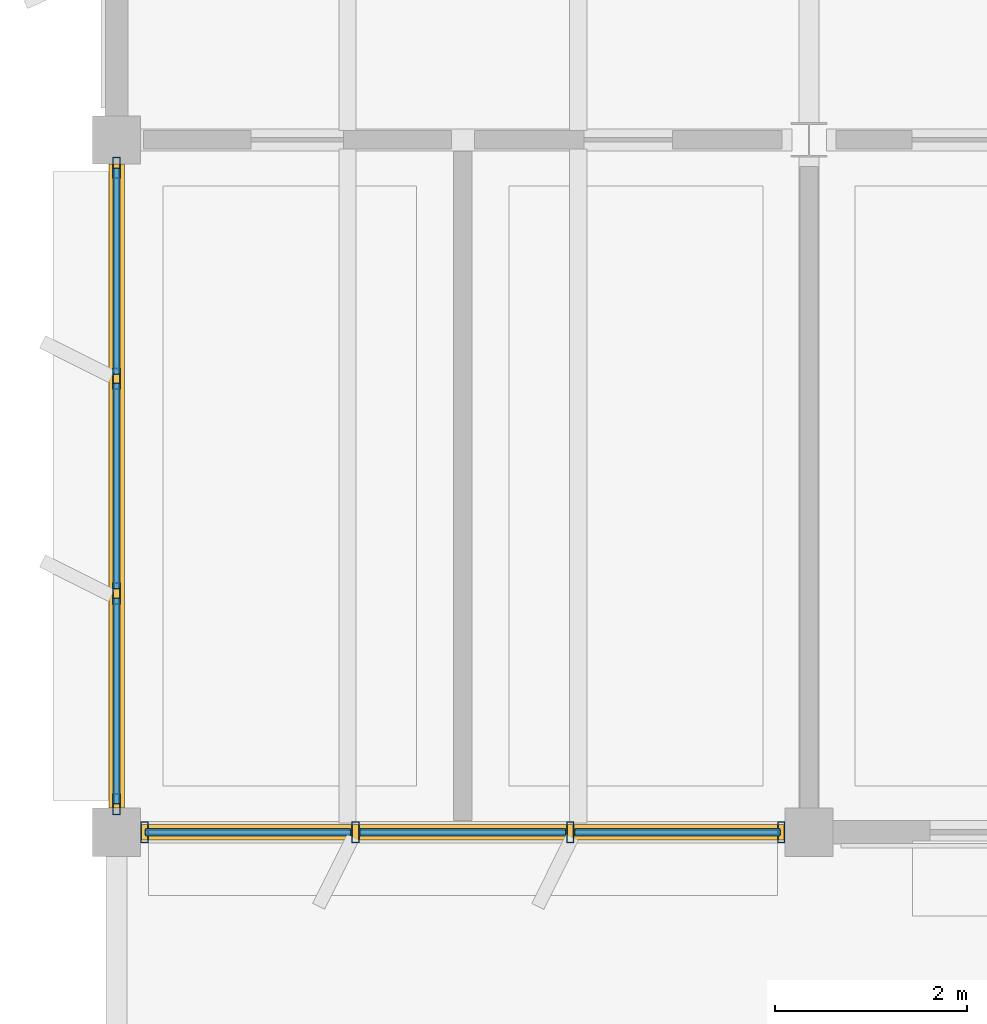
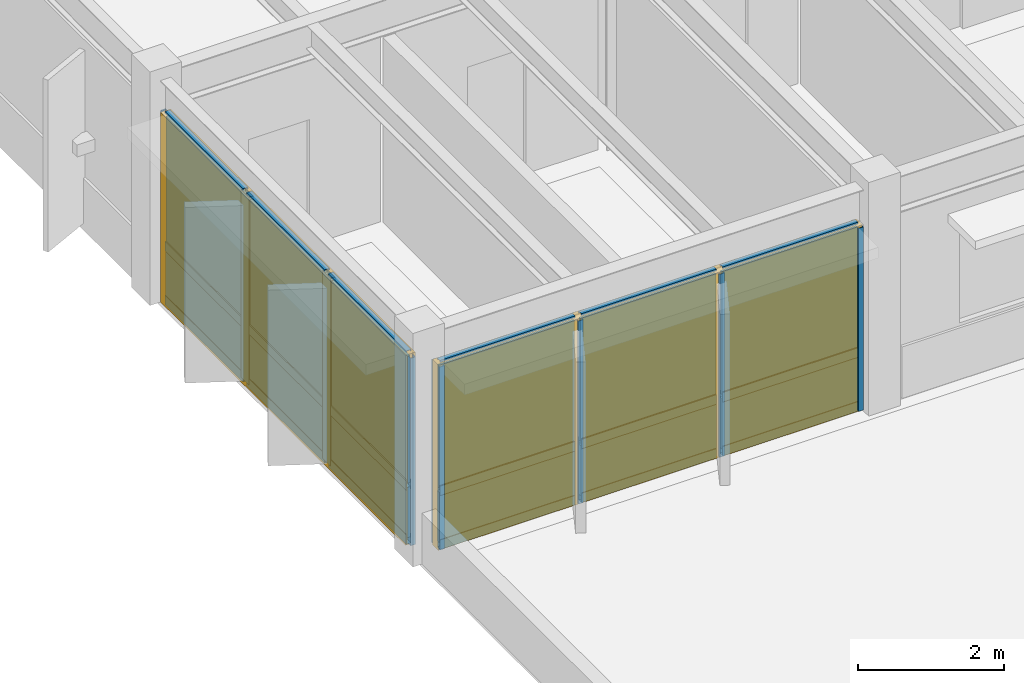
# One storey, part 48 of 82: 26 members, 12 plates, 2 curtain walls.
"""IFC4 building model written with IfcOpenShell, lengths in metres."""

from ifc_helpers import new_model, si_unit, direction, frame, origin, origin_2d, place, context, subcontext, project, spatial, rectangle, hollow_rectangle, extrude, material, layer, layer_set, material_profile, profile_set, type_object, element, aggregate, save


model = new_model("IFC4")

# Units and contexts
model_context = context("Model", 3, precision=1e-05, world=origin(), true_north=direction((0.0, 1.0)))
body_context = subcontext(model_context, "Body", "Model", "MODEL_VIEW")
ifc_project = project(units=[si_unit("LENGTHUNIT", "METRE"), si_unit("AREAUNIT", "SQUARE_METRE"), si_unit("VOLUMEUNIT", "CUBIC_METRE"), si_unit("PLANEANGLEUNIT", "RADIAN"), si_unit("MASSUNIT", "GRAM", prefix="KILO")], contexts=[model_context])

# Member
ifc_material_1 = material(Name="Anodized Aluminium 6063-T6", Category="aluminium")
ifc_material_profile_1 = material_profile(ifc_material_1, hollow_rectangle(XDim=0.074951171875, YDim=0.219970703125, WallThickness=0.0048828125, at=origin_2d()), Name="ALU 75x220x5")
ifc_profile_set_1 = profile_set([ifc_material_profile_1], Name="Anodized Aluminium 6063-T6")
member_type_1 = type_object("IfcMemberType", Name="CWM-75X180", PredefinedType="MULLION", material=ifc_profile_set_1)
site_placement = place(None, origin())
building_placement = place(site_placement, origin())
storey_placement = place(building_placement, frame((0.0, 0.0, 14.10009765625)))
member_1_placement = place(storey_placement, frame((14.110107421875, 50.39990234375, 0.02001953125), z_axis=(0.0, 0.0, 1.0), x_axis=(1.0, 0.0, 0.0)))
member_1 = element("IfcMember", 1, at=member_1_placement, type_object=member_type_1, Name="Curtain wall mullion CW-L04-01-07-S-00", PredefinedType="MULLION", context=body_context, shape_type="SweptSolid", body=[
    extrude(hollow_rectangle(XDim=0.074951171875, YDim=0.219970703125, WallThickness=0.0048828125, at=origin_2d()), origin(), (0.0, 0.0, 1.0), 3.057861328125),
])

member_2_placement = place(storey_placement, frame((11.916748046875, 50.39990234375, 0.02001953125), z_axis=(0.0, 0.0, 1.0), x_axis=(1.0, 0.0, 0.0)))
member_2 = element("IfcMember", 2, at=member_2_placement, type_object=member_type_1, Name="Curtain wall mullion CW-L04-01-07-S-01", PredefinedType="MULLION", context=body_context, shape_type="SweptSolid", body=[
    extrude(hollow_rectangle(XDim=0.074951171875, YDim=0.219970703125, WallThickness=0.0048828125, at=origin_2d()), origin(), (0.0, 0.0, 1.0), 3.057861328125),
])

member_3_placement = place(storey_placement, frame((9.683349609375, 50.39990234375, 0.02001953125), z_axis=(0.0, 0.0, 1.0), x_axis=(1.0, 0.0, 0.0)))
member_3 = element("IfcMember", 3, at=member_3_placement, type_object=member_type_1, Name="Curtain wall mullion CW-L04-01-07-S-02", PredefinedType="MULLION", context=body_context, shape_type="SweptSolid", body=[
    extrude(hollow_rectangle(XDim=0.074951171875, YDim=0.219970703125, WallThickness=0.0048828125, at=origin_2d()), origin(), (0.0, 0.0, 1.0), 3.057861328125),
])

member_4_placement = place(storey_placement, frame((7.489990234375, 50.39990234375, 0.02001953125), z_axis=(0.0, 0.0, 1.0), x_axis=(1.0, 0.0, 0.0)))
member_4 = element("IfcMember", 4, at=member_4_placement, type_object=member_type_1, Name="Curtain wall mullion CW-L04-01-07-S-03", PredefinedType="MULLION", context=body_context, shape_type="SweptSolid", body=[
    extrude(hollow_rectangle(XDim=0.074951171875, YDim=0.219970703125, WallThickness=0.0048828125, at=origin_2d()), origin(), (0.0, 0.0, 1.0), 3.057861328125),
])

member_5_placement = place(storey_placement, frame((7.199951171875, 50.68994140625, 0.02001953125), z_axis=(0.0, 0.0, 1.0), x_axis=(1.0, 0.0, 0.0)))
member_5 = element("IfcMember", 5, at=member_5_placement, type_object=member_type_1, Name="Curtain wall mullion CW-L04-01-07-W-00", PredefinedType="MULLION", context=body_context, shape_type="SweptSolid", body=[
    extrude(hollow_rectangle(XDim=0.074951171875, YDim=0.219970703125, WallThickness=0.0048828125, at=origin_2d()), origin(), (0.0, 0.0, 1.0), 3.1318359375),
])

member_6_placement = place(storey_placement, frame((7.199951171875, 52.88330078125, 0.02001953125), z_axis=(0.0, 0.0, 1.0), x_axis=(1.0, 0.0, 0.0)))
member_6 = element("IfcMember", 6, at=member_6_placement, type_object=member_type_1, Name="Curtain wall mullion CW-L04-01-07-W-01", PredefinedType="MULLION", context=body_context, shape_type="SweptSolid", body=[
    extrude(hollow_rectangle(XDim=0.074951171875, YDim=0.219970703125, WallThickness=0.0048828125, at=origin_2d()), origin(), (0.0, 0.0, 1.0), 3.1318359375),
])

member_7_placement = place(storey_placement, frame((7.199951171875, 55.11669921875, 0.02001953125), z_axis=(0.0, 0.0, 1.0), x_axis=(1.0, 0.0, 0.0)))
member_7 = element("IfcMember", 7, at=member_7_placement, type_object=member_type_1, Name="Curtain wall mullion CW-L04-01-07-W-02", PredefinedType="MULLION", context=body_context, shape_type="SweptSolid", body=[
    extrude(hollow_rectangle(XDim=0.074951171875, YDim=0.219970703125, WallThickness=0.0048828125, at=origin_2d()), origin(), (0.0, 0.0, 1.0), 3.1318359375),
])

member_8_placement = place(storey_placement, frame((7.199951171875, 57.31005859375, 0.02001953125), z_axis=(0.0, 0.0, 1.0), x_axis=(1.0, 0.0, 0.0)))
member_8 = element("IfcMember", 8, at=member_8_placement, type_object=member_type_1, Name="Curtain wall mullion CW-L04-01-07-W-03", PredefinedType="MULLION", context=body_context, shape_type="SweptSolid", body=[
    extrude(hollow_rectangle(XDim=0.074951171875, YDim=0.219970703125, WallThickness=0.0048828125, at=origin_2d()), origin(), (0.0, 0.0, 1.0), 3.1318359375),
])

ifc_material_profile_2 = material_profile(ifc_material_1, hollow_rectangle(XDim=0.074951171875, YDim=0.159912109375, WallThickness=0.00390625, at=origin_2d()), Name="ALU 75x160x4")
ifc_profile_set_2 = profile_set([ifc_material_profile_2], Name="Anodized Aluminium 6063-T6")
member_type_2 = type_object("IfcMemberType", Name="CWT-75X150", PredefinedType="USERDEFINED", material=ifc_profile_set_2)
member_9_placement = place(storey_placement, frame((14.10009765625, 50.39990234375, 0.0498046875), z_axis=(-1.0, 0.0, 0.0), x_axis=(0.0, -1.0, 0.0)))
member_9 = element("IfcMember", 9, at=member_9_placement, type_object=member_type_2, Name="Curtain wall transom CW-L04-01-07-S-1.01", ObjectType="TRANSOM", PredefinedType="USERDEFINED", context=body_context, shape_type="SweptSolid", body=[
    extrude(hollow_rectangle(XDim=0.074951171875, YDim=0.159912109375, WallThickness=0.00390625, at=origin_2d()), origin(), (0.0, 0.0, 1.0), 2.13330078125),
])

member_10_placement = place(storey_placement, frame((11.86669921875, 50.39990234375, 0.0498046875), z_axis=(-1.0, 0.0, 0.0), x_axis=(0.0, -1.0, 0.0)))
member_10 = element("IfcMember", 10, at=member_10_placement, type_object=member_type_2, Name="Curtain wall transom CW-L04-01-07-S-1.02", ObjectType="TRANSOM", PredefinedType="USERDEFINED", context=body_context, shape_type="SweptSolid", body=[
    extrude(hollow_rectangle(XDim=0.074951171875, YDim=0.159912109375, WallThickness=0.00390625, at=origin_2d()), origin(), (0.0, 0.0, 1.0), 2.13330078125),
])

member_11_placement = place(storey_placement, frame((9.63330078125, 50.39990234375, 0.0498046875), z_axis=(-1.0, 0.0, 0.0), x_axis=(0.0, -1.0, 0.0)))
member_11 = element("IfcMember", 11, at=member_11_placement, type_object=member_type_2, Name="Curtain wall transom CW-L04-01-07-S-1.03", ObjectType="TRANSOM", PredefinedType="USERDEFINED", context=body_context, shape_type="SweptSolid", body=[
    extrude(hollow_rectangle(XDim=0.074951171875, YDim=0.159912109375, WallThickness=0.00390625, at=origin_2d()), origin(), (0.0, 0.0, 1.0), 2.13330078125),
])

member_12_placement = place(storey_placement, frame((14.10009765625, 50.39990234375, 0.949951171875), z_axis=(-1.0, 0.0, 0.0), x_axis=(0.0, -1.0, 0.0)))
member_12 = element("IfcMember", 12, at=member_12_placement, type_object=member_type_2, Name="Curtain wall transom CW-L04-01-07-S-2.01", ObjectType="TRANSOM", PredefinedType="USERDEFINED", context=body_context, shape_type="SweptSolid", body=[
    extrude(hollow_rectangle(XDim=0.074951171875, YDim=0.159912109375, WallThickness=0.00390625, at=origin_2d()), origin(), (0.0, 0.0, 1.0), 2.13330078125),
])

member_13_placement = place(storey_placement, frame((11.86669921875, 50.39990234375, 0.949951171875), z_axis=(-1.0, 0.0, 0.0), x_axis=(0.0, -1.0, 0.0)))
member_13 = element("IfcMember", 13, at=member_13_placement, type_object=member_type_2, Name="Curtain wall transom CW-L04-01-07-S-2.02", ObjectType="TRANSOM", PredefinedType="USERDEFINED", context=body_context, shape_type="SweptSolid", body=[
    extrude(hollow_rectangle(XDim=0.074951171875, YDim=0.159912109375, WallThickness=0.00390625, at=origin_2d()), origin(), (0.0, 0.0, 1.0), 2.13330078125),
])

member_14_placement = place(storey_placement, frame((9.63330078125, 50.39990234375, 0.949951171875), z_axis=(-1.0, 0.0, 0.0), x_axis=(0.0, -1.0, 0.0)))
member_14 = element("IfcMember", 14, at=member_14_placement, type_object=member_type_2, Name="Curtain wall transom CW-L04-01-07-S-2.03", ObjectType="TRANSOM", PredefinedType="USERDEFINED", context=body_context, shape_type="SweptSolid", body=[
    extrude(hollow_rectangle(XDim=0.074951171875, YDim=0.159912109375, WallThickness=0.00390625, at=origin_2d()), origin(), (0.0, 0.0, 1.0), 2.13330078125),
])

member_15_placement = place(storey_placement, frame((14.10009765625, 50.39990234375, 3.0478515625), z_axis=(-1.0, 0.0, 0.0), x_axis=(0.0, -1.0, 0.0)))
member_15 = element("IfcMember", 15, at=member_15_placement, type_object=member_type_2, Name="Curtain wall transom CW-L04-01-07-S-3.01", ObjectType="TRANSOM", PredefinedType="USERDEFINED", context=body_context, shape_type="SweptSolid", body=[
    extrude(hollow_rectangle(XDim=0.074951171875, YDim=0.159912109375, WallThickness=0.00390625, at=origin_2d()), origin(), (0.0, 0.0, 1.0), 2.13330078125),
])

member_16_placement = place(storey_placement, frame((11.86669921875, 50.39990234375, 3.0478515625), z_axis=(-1.0, 0.0, 0.0), x_axis=(0.0, -1.0, 0.0)))
member_16 = element("IfcMember", 16, at=member_16_placement, type_object=member_type_2, Name="Curtain wall transom CW-L04-01-07-S-3.02", ObjectType="TRANSOM", PredefinedType="USERDEFINED", context=body_context, shape_type="SweptSolid", body=[
    extrude(hollow_rectangle(XDim=0.074951171875, YDim=0.159912109375, WallThickness=0.00390625, at=origin_2d()), origin(), (0.0, 0.0, 1.0), 2.13330078125),
])

member_17_placement = place(storey_placement, frame((9.63330078125, 50.39990234375, 3.0478515625), z_axis=(-1.0, 0.0, 0.0), x_axis=(0.0, -1.0, 0.0)))
member_17 = element("IfcMember", 17, at=member_17_placement, type_object=member_type_2, Name="Curtain wall transom CW-L04-01-07-S-3.03", ObjectType="TRANSOM", PredefinedType="USERDEFINED", context=body_context, shape_type="SweptSolid", body=[
    extrude(hollow_rectangle(XDim=0.074951171875, YDim=0.159912109375, WallThickness=0.00390625, at=origin_2d()), origin(), (0.0, 0.0, 1.0), 2.13330078125),
])

member_18_placement = place(storey_placement, frame((7.199951171875, 50.699951171875, 0.0498046875), z_axis=(0.0, 1.0, 0.0), x_axis=(-1.0, 0.0, 0.0)))
member_18 = element("IfcMember", 18, at=member_18_placement, type_object=member_type_2, Name="Curtain wall transom CW-L04-01-07-W-1.01", ObjectType="TRANSOM", PredefinedType="USERDEFINED", context=body_context, shape_type="SweptSolid", body=[
    extrude(hollow_rectangle(XDim=0.074951171875, YDim=0.159912109375, WallThickness=0.00390625, at=origin_2d()), origin(), (0.0, 0.0, 1.0), 2.13330078125),
])

member_19_placement = place(storey_placement, frame((7.199951171875, 52.933349609375, 0.0498046875), z_axis=(0.0, 1.0, 0.0), x_axis=(-1.0, 0.0, 0.0)))
member_19 = element("IfcMember", 19, at=member_19_placement, type_object=member_type_2, Name="Curtain wall transom CW-L04-01-07-W-1.02", ObjectType="TRANSOM", PredefinedType="USERDEFINED", context=body_context, shape_type="SweptSolid", body=[
    extrude(hollow_rectangle(XDim=0.074951171875, YDim=0.159912109375, WallThickness=0.00390625, at=origin_2d()), origin(), (0.0, 0.0, 1.0), 2.13330078125),
])

member_20_placement = place(storey_placement, frame((7.199951171875, 55.166748046875, 0.0498046875), z_axis=(0.0, 1.0, 0.0), x_axis=(-1.0, 0.0, 0.0)))
member_20 = element("IfcMember", 20, at=member_20_placement, type_object=member_type_2, Name="Curtain wall transom CW-L04-01-07-W-1.03", ObjectType="TRANSOM", PredefinedType="USERDEFINED", context=body_context, shape_type="SweptSolid", body=[
    extrude(hollow_rectangle(XDim=0.074951171875, YDim=0.159912109375, WallThickness=0.00390625, at=origin_2d()), origin(), (0.0, 0.0, 1.0), 2.13330078125),
])

member_21_placement = place(storey_placement, frame((7.199951171875, 50.699951171875, 0.949951171875), z_axis=(0.0, 1.0, 0.0), x_axis=(-1.0, 0.0, 0.0)))
member_21 = element("IfcMember", 21, at=member_21_placement, type_object=member_type_2, Name="Curtain wall transom CW-L04-01-07-W-2.01", ObjectType="TRANSOM", PredefinedType="USERDEFINED", context=body_context, shape_type="SweptSolid", body=[
    extrude(hollow_rectangle(XDim=0.074951171875, YDim=0.159912109375, WallThickness=0.00390625, at=origin_2d()), origin(), (0.0, 0.0, 1.0), 2.13330078125),
])

member_22_placement = place(storey_placement, frame((7.199951171875, 52.933349609375, 0.949951171875), z_axis=(0.0, 1.0, 0.0), x_axis=(-1.0, 0.0, 0.0)))
member_22 = element("IfcMember", 22, at=member_22_placement, type_object=member_type_2, Name="Curtain wall transom CW-L04-01-07-W-2.02", ObjectType="TRANSOM", PredefinedType="USERDEFINED", context=body_context, shape_type="SweptSolid", body=[
    extrude(hollow_rectangle(XDim=0.074951171875, YDim=0.159912109375, WallThickness=0.00390625, at=origin_2d()), origin(), (0.0, 0.0, 1.0), 2.13330078125),
])

member_23_placement = place(storey_placement, frame((7.199951171875, 55.166748046875, 0.949951171875), z_axis=(0.0, 1.0, 0.0), x_axis=(-1.0, 0.0, 0.0)))
member_23 = element("IfcMember", 23, at=member_23_placement, type_object=member_type_2, Name="Curtain wall transom CW-L04-01-07-W-2.03", ObjectType="TRANSOM", PredefinedType="USERDEFINED", context=body_context, shape_type="SweptSolid", body=[
    extrude(hollow_rectangle(XDim=0.074951171875, YDim=0.159912109375, WallThickness=0.00390625, at=origin_2d()), origin(), (0.0, 0.0, 1.0), 2.13330078125),
])

member_24_placement = place(storey_placement, frame((7.199951171875, 50.699951171875, 3.121826171875), z_axis=(0.0, 1.0, 0.0), x_axis=(-1.0, 0.0, 0.0)))
member_24 = element("IfcMember", 24, at=member_24_placement, type_object=member_type_2, Name="Curtain wall transom CW-L04-01-07-W-3.01", ObjectType="TRANSOM", PredefinedType="USERDEFINED", context=body_context, shape_type="SweptSolid", body=[
    extrude(hollow_rectangle(XDim=0.074951171875, YDim=0.159912109375, WallThickness=0.00390625, at=origin_2d()), origin(), (0.0, 0.0, 1.0), 2.13330078125),
])

member_25_placement = place(storey_placement, frame((7.199951171875, 52.933349609375, 3.121826171875), z_axis=(0.0, 1.0, 0.0), x_axis=(-1.0, 0.0, 0.0)))
member_25 = element("IfcMember", 25, at=member_25_placement, type_object=member_type_2, Name="Curtain wall transom CW-L04-01-07-W-3.02", ObjectType="TRANSOM", PredefinedType="USERDEFINED", context=body_context, shape_type="SweptSolid", body=[
    extrude(hollow_rectangle(XDim=0.074951171875, YDim=0.159912109375, WallThickness=0.00390625, at=origin_2d()), origin(), (0.0, 0.0, 1.0), 2.13330078125),
])

member_26_placement = place(storey_placement, frame((7.199951171875, 55.166748046875, 3.121826171875), z_axis=(0.0, 1.0, 0.0), x_axis=(-1.0, 0.0, 0.0)))
member_26 = element("IfcMember", 26, at=member_26_placement, type_object=member_type_2, Name="Curtain wall transom CW-L04-01-07-W-3.03", ObjectType="TRANSOM", PredefinedType="USERDEFINED", context=body_context, shape_type="SweptSolid", body=[
    extrude(hollow_rectangle(XDim=0.074951171875, YDim=0.159912109375, WallThickness=0.00390625, at=origin_2d()), origin(), (0.0, 0.0, 1.0), 2.13330078125),
])

# Plate
ifc_material_2 = material(Name="Acoustic Laminated Low-E Glazing", Category="glass")
ifc_layer_1 = layer(ifc_material_2, 0.0439453125)
ifc_layer_set_1 = layer_set([ifc_layer_1], Name="Acoustic Laminated Low-E Glazing")
plate_type_1 = type_object("IfcPlateType", Name="CWP-IGU-44", PredefinedType="CURTAIN_PANEL", material=ifc_layer_set_1)
plate_1_placement = place(storey_placement, frame((13.033203125, 50.39990234375, 0.98974609375), z_axis=(0.0, 0.0, 1.0), x_axis=(-1.0, 0.0, 0.0)))
plate_1 = element("IfcPlate", 27, at=plate_1_placement, type_object=plate_type_1, Name="Curtain wall vision glazing CW-L04-01-07-S-01", PredefinedType="CURTAIN_PANEL", context=body_context, shape_type="SweptSolid", body=[
    extrude(rectangle(XDim=2.143310546875, YDim=0.0400390625, at=origin_2d()), origin(), (0.0, 0.0, 1.0), 2.048095703125),
])

plate_2_placement = place(storey_placement, frame((10.800048828125, 50.39990234375, 0.98974609375), z_axis=(0.0, 0.0, 1.0), x_axis=(-1.0, 0.0, 0.0)))
plate_2 = element("IfcPlate", 28, at=plate_2_placement, type_object=plate_type_1, Name="Curtain wall vision glazing CW-L04-01-07-S-02", PredefinedType="CURTAIN_PANEL", context=body_context, shape_type="SweptSolid", body=[
    extrude(rectangle(XDim=2.143310546875, YDim=0.0400390625, at=origin_2d()), origin(), (0.0, 0.0, 1.0), 2.048095703125),
])

plate_3_placement = place(storey_placement, frame((8.566650390625, 50.39990234375, 0.98974609375), z_axis=(0.0, 0.0, 1.0), x_axis=(-1.0, 0.0, 0.0)))
plate_3 = element("IfcPlate", 29, at=plate_3_placement, type_object=plate_type_1, Name="Curtain wall vision glazing CW-L04-01-07-S-03", PredefinedType="CURTAIN_PANEL", context=body_context, shape_type="SweptSolid", body=[
    extrude(rectangle(XDim=2.143310546875, YDim=0.0400390625, at=origin_2d()), origin(), (0.0, 0.0, 1.0), 2.048095703125),
])

plate_4_placement = place(storey_placement, frame((7.199951171875, 51.7666015625, 0.98974609375), z_axis=(0.0, 0.0, 1.0), x_axis=(0.0, 1.0, 0.0)))
plate_4 = element("IfcPlate", 30, at=plate_4_placement, type_object=plate_type_1, Name="Curtain wall vision glazing CW-L04-01-07-W-01", PredefinedType="CURTAIN_PANEL", context=body_context, shape_type="SweptSolid", body=[
    extrude(rectangle(XDim=2.143310546875, YDim=0.0400390625, at=origin_2d()), origin(), (0.0, 0.0, 1.0), 2.1220703125),
])

plate_5_placement = place(storey_placement, frame((7.199951171875, 54.0, 0.98974609375), z_axis=(0.0, 0.0, 1.0), x_axis=(0.0, 1.0, 0.0)))
plate_5 = element("IfcPlate", 31, at=plate_5_placement, type_object=plate_type_1, Name="Curtain wall vision glazing CW-L04-01-07-W-02", PredefinedType="CURTAIN_PANEL", context=body_context, shape_type="SweptSolid", body=[
    extrude(rectangle(XDim=2.143310546875, YDim=0.0400390625, at=origin_2d()), origin(), (0.0, 0.0, 1.0), 2.1220703125),
])

plate_6_placement = place(storey_placement, frame((7.199951171875, 56.2333984375, 0.98974609375), z_axis=(0.0, 0.0, 1.0), x_axis=(0.0, 1.0, 0.0)))
plate_6 = element("IfcPlate", 32, at=plate_6_placement, type_object=plate_type_1, Name="Curtain wall vision glazing CW-L04-01-07-W-03", PredefinedType="CURTAIN_PANEL", context=body_context, shape_type="SweptSolid", body=[
    extrude(rectangle(XDim=2.143310546875, YDim=0.0400390625, at=origin_2d()), origin(), (0.0, 0.0, 1.0), 2.1220703125),
])

ifc_material_3 = material(Name="Insulated Stone-Composite Spandrel", Category="masonry")
ifc_layer_2 = layer(ifc_material_3, 0.068115234375)
ifc_layer_set_2 = layer_set([ifc_layer_2], Name="Insulated Stone-Composite Spandrel")
plate_type_2 = type_object("IfcPlateType", Name="CWP-SPN-68", PredefinedType="CURTAIN_PANEL", material=ifc_layer_set_2)
plate_7_placement = place(storey_placement, frame((13.033203125, 50.39990234375, 0.080078125), z_axis=(0.0, 0.0, 1.0), x_axis=(-1.0, 0.0, 0.0)))
plate_7 = element("IfcPlate", 33, at=plate_7_placement, type_object=plate_type_2, Name="Curtain wall spandrel panel CW-L04-01-07-S-01", PredefinedType="CURTAIN_PANEL", context=body_context, shape_type="SweptSolid", body=[
    extrude(rectangle(XDim=2.143310546875, YDim=0.06005859375, at=origin_2d()), origin(), (0.0, 0.0, 1.0), 0.840087890625),
])

plate_8_placement = place(storey_placement, frame((10.800048828125, 50.39990234375, 0.080078125), z_axis=(0.0, 0.0, 1.0), x_axis=(-1.0, 0.0, 0.0)))
plate_8 = element("IfcPlate", 34, at=plate_8_placement, type_object=plate_type_2, Name="Curtain wall spandrel panel CW-L04-01-07-S-02", PredefinedType="CURTAIN_PANEL", context=body_context, shape_type="SweptSolid", body=[
    extrude(rectangle(XDim=2.143310546875, YDim=0.06005859375, at=origin_2d()), origin(), (0.0, 0.0, 1.0), 0.840087890625),
])

plate_9_placement = place(storey_placement, frame((8.566650390625, 50.39990234375, 0.080078125), z_axis=(0.0, 0.0, 1.0), x_axis=(-1.0, 0.0, 0.0)))
plate_9 = element("IfcPlate", 35, at=plate_9_placement, type_object=plate_type_2, Name="Curtain wall spandrel panel CW-L04-01-07-S-03", PredefinedType="CURTAIN_PANEL", context=body_context, shape_type="SweptSolid", body=[
    extrude(rectangle(XDim=2.143310546875, YDim=0.06005859375, at=origin_2d()), origin(), (0.0, 0.0, 1.0), 0.840087890625),
])

plate_10_placement = place(storey_placement, frame((7.199951171875, 51.7666015625, 0.080078125), z_axis=(0.0, 0.0, 1.0), x_axis=(0.0, 1.0, 0.0)))
plate_10 = element("IfcPlate", 36, at=plate_10_placement, type_object=plate_type_2, Name="Curtain wall spandrel panel CW-L04-01-07-W-01", PredefinedType="CURTAIN_PANEL", context=body_context, shape_type="SweptSolid", body=[
    extrude(rectangle(XDim=2.143310546875, YDim=0.06005859375, at=origin_2d()), origin(), (0.0, 0.0, 1.0), 0.840087890625),
])

plate_11_placement = place(storey_placement, frame((7.199951171875, 54.0, 0.080078125), z_axis=(0.0, 0.0, 1.0), x_axis=(0.0, 1.0, 0.0)))
plate_11 = element("IfcPlate", 37, at=plate_11_placement, type_object=plate_type_2, Name="Curtain wall spandrel panel CW-L04-01-07-W-02", PredefinedType="CURTAIN_PANEL", context=body_context, shape_type="SweptSolid", body=[
    extrude(rectangle(XDim=2.143310546875, YDim=0.06005859375, at=origin_2d()), origin(), (0.0, 0.0, 1.0), 0.840087890625),
])

plate_12_placement = place(storey_placement, frame((7.199951171875, 56.2333984375, 0.080078125), z_axis=(0.0, 0.0, 1.0), x_axis=(0.0, 1.0, 0.0)))
plate_12 = element("IfcPlate", 38, at=plate_12_placement, type_object=plate_type_2, Name="Curtain wall spandrel panel CW-L04-01-07-W-03", PredefinedType="CURTAIN_PANEL", context=body_context, shape_type="SweptSolid", body=[
    extrude(rectangle(XDim=2.143310546875, YDim=0.06005859375, at=origin_2d()), origin(), (0.0, 0.0, 1.0), 0.840087890625),
])

# Site, building, storey
site = spatial("IfcSite", under=ifc_project, at=site_placement, CompositionType="ELEMENT")
building = spatial("IfcBuilding", under=site, at=building_placement, Name="Sillqori Civic Hall", CompositionType="ELEMENT")
storey = spatial("IfcBuildingStorey", under=building, at=storey_placement, Name="L04", CompositionType="ELEMENT", Elevation=14.10009765625)

# Curtain wall
ifc_material_4 = material(Name="Anodized Aluminium Curtain Wall System", Category="aluminium")
curtain_wall_type = type_object("IfcCurtainWallType", Name="CW-AD-370", PredefinedType="NOTDEFINED", material=ifc_material_4)
curtain_wall_1_placement = place(storey_placement, frame((10.800048828125, 50.39990234375, 0.0), z_axis=(0.0, 0.0, 1.0), x_axis=(-1.0, 0.0, 0.0)))
curtain_wall_1 = element("IfcCurtainWall", 39, at=curtain_wall_1_placement, inside=storey, type_object=curtain_wall_type, Name="L04 unitised curtain wall CW-L04-01-07-S", PredefinedType="NOTDEFINED", context=body_context, shape_type="SweptSolid", body=[
    extrude(rectangle(XDim=6.699951171875, YDim=0.159912109375, at=origin_2d()), origin(), (0.0, 0.0, 1.0), 3.097900390625),
])

aggregate(curtain_wall_1, [member_1, member_2, member_3, member_4, member_9, member_10, member_11, member_12, member_13, member_14, member_15, member_16, member_17, plate_7, plate_1, plate_8, plate_2, plate_9, plate_3])

curtain_wall_2_placement = place(storey_placement, frame((7.199951171875, 54.0, 0.0), z_axis=(0.0, 0.0, 1.0), x_axis=(0.0, 1.0, 0.0)))
curtain_wall_2 = element("IfcCurtainWall", 40, at=curtain_wall_2_placement, inside=storey, type_object=curtain_wall_type, Name="L04 unitised curtain wall CW-L04-01-07-W", PredefinedType="NOTDEFINED", context=body_context, shape_type="SweptSolid", body=[
    extrude(rectangle(XDim=6.699951171875, YDim=0.159912109375, at=origin_2d()), origin(), (0.0, 0.0, 1.0), 3.172119140625),
])

aggregate(curtain_wall_2, [member_5, member_6, member_7, member_8, member_18, member_19, member_20, member_21, member_22, member_23, member_24, member_25, member_26, plate_10, plate_4, plate_11, plate_5, plate_12, plate_6])

save(model, "model.ifc")
